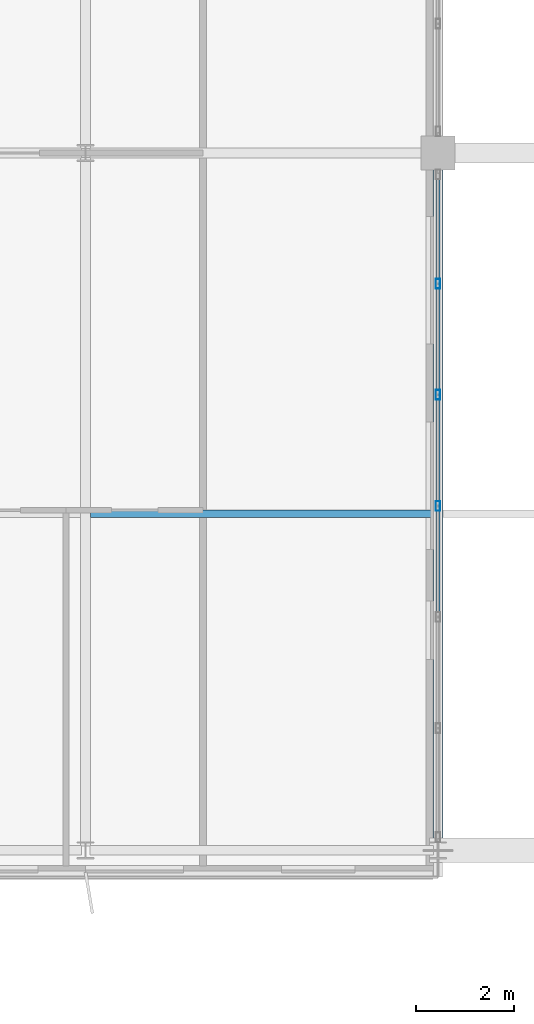
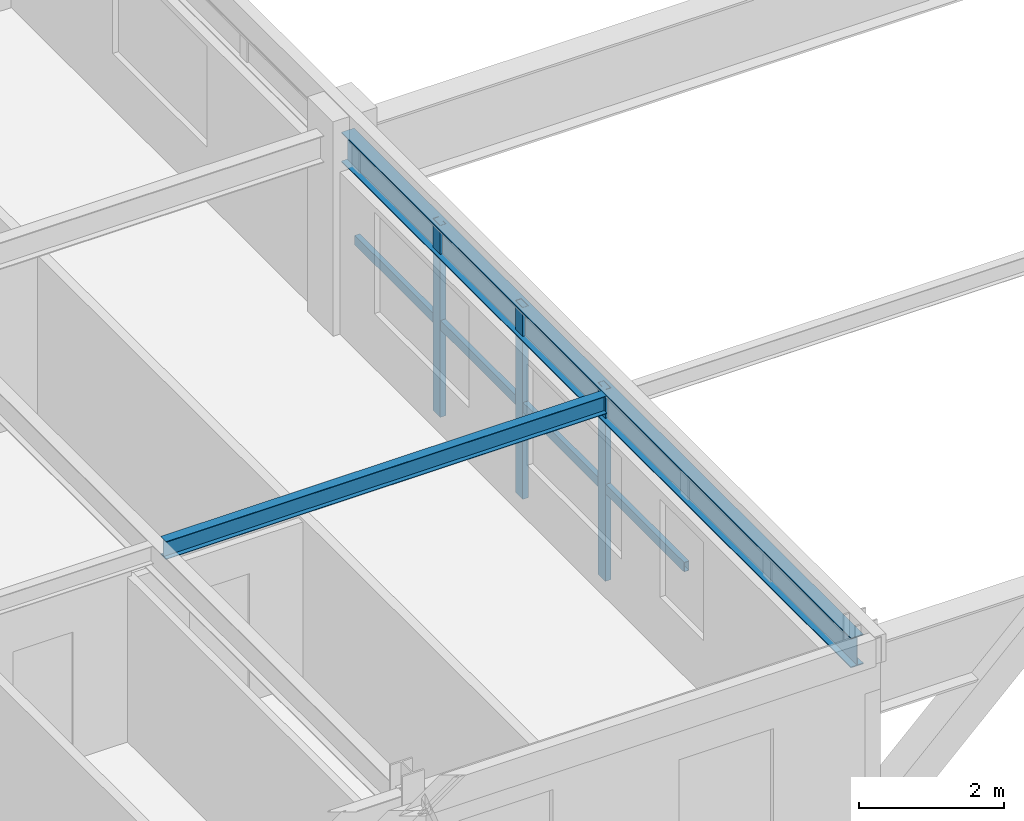
# One storey, part 7 of 37: 7 members, 2 beams, 1 element without a shape of its own.
"""IFC4 building model written with IfcOpenShell, lengths in metres."""

from ifc_helpers import new_model, si_unit, direction, frame, origin, origin_2d, place, context, subcontext, project, spatial, hollow_rectangle, i_section, extrude, source, transform, mapped, material, material_profile, profile_set, type_object, element, aggregate, save


model = new_model("IFC4")

# Units and contexts
model_context = context("Model", 3, precision=1e-05, world=origin(), true_north=direction((0.0, 1.0)))
body_context = subcontext(model_context, "Body", "Model", "MODEL_VIEW")
ifc_project = project(units=[si_unit("LENGTHUNIT", "METRE"), si_unit("AREAUNIT", "SQUARE_METRE"), si_unit("VOLUMEUNIT", "CUBIC_METRE"), si_unit("PLANEANGLEUNIT", "RADIAN"), si_unit("MASSUNIT", "GRAM", prefix="KILO")], contexts=[model_context])

# Site, building, storey
site_placement = place(None, origin())
site = spatial("IfcSite", under=ifc_project, at=site_placement, CompositionType="ELEMENT")
building_placement = place(site_placement, origin())
building = spatial("IfcBuilding", under=site, at=building_placement, Name="Trelvane Seafront Commons", CompositionType="ELEMENT")
storey_placement = place(building_placement, frame((0.0, 0.0, 201.300048828125)))
storey = spatial("IfcBuildingStorey", under=building, at=storey_placement, Name="L52", CompositionType="ELEMENT", Elevation=201.300048828125)

# Beams
ifc_material_1 = material(Name="Steel SM355 (S355)", Category="steel")
ifc_material_profile_1 = material_profile(ifc_material_1, i_section(OverallWidth=0.199951171875, OverallDepth=0.5, WebThickness=0.010009765625, FlangeThickness=0.01611328125, at=origin_2d()), Name="H-500x200x10x16")
ifc_profile_set_1 = profile_set([ifc_material_profile_1], Name="Steel SM355 (S355)")
beam_type_1 = type_object("IfcBeamType", Name="STR-BM-H500", PredefinedType="BEAM", material=ifc_profile_set_1)
shared_shape_1 = source(origin(), body_context, "Body", "SweptSolid", [
    extrude(i_section(OverallWidth=0.199951171875, OverallDepth=0.5, WebThickness=0.010009765625, FlangeThickness=0.01611328125, at=origin_2d()), origin(), (0.0, 0.0, 1.0), 14.012451171875),
])
beam_1_placement = place(storey_placement, frame((30.60009765625, 4.03759765625, 2.969970703125), z_axis=(0.0, 1.0, 0.0), x_axis=(-1.0, 0.0, 0.0)))
element("IfcBeam", 1, at=beam_1_placement, inside=storey, type_object=beam_type_1, Name="L52 Primary Girder G-38", PredefinedType="BEAM", context=body_context, shape_type="MappedRepresentation", body=[
    mapped(shared_shape_1, transform((0.0, 0.0, 0.0), x_axis=(1.0, 0.0, 0.0), y_axis=(0.0, 1.0, 0.0), z_axis=(0.0, 0.0, 1.0), scale=1.0)),
])
ifc_material_profile_2 = material_profile(ifc_material_1, i_section(OverallWidth=0.14990234375, OverallDepth=0.300048828125, WebThickness=0.006591796875, FlangeThickness=0.009033203125, at=origin_2d()), Name="H-300x150x6.5x9")
ifc_profile_set_2 = profile_set([ifc_material_profile_2], Name="Steel SM355 (S355)")
beam_type_2 = type_object("IfcBeamType", Name="STR-JST-H300", PredefinedType="JOIST", material=ifc_profile_set_2)
shared_shape_2 = source(origin(), body_context, "Body", "SweptSolid", [
    extrude(i_section(OverallWidth=0.14990234375, OverallDepth=0.300048828125, WebThickness=0.006591796875, FlangeThickness=0.009033203125, at=origin_2d()), origin(), (0.0, 0.0, 1.0), 7.0),
])
beam_2_placement = place(storey_placement, frame((23.5, 10.824951171875, 3.070068359375), z_axis=(1.0, 0.0, 0.0), x_axis=(0.0, 1.0, 0.0)))
element("IfcBeam", 2, at=beam_2_placement, inside=storey, type_object=beam_type_2, Name="L52 Secondary Floor Joist B-55", PredefinedType="JOIST", context=body_context, shape_type="MappedRepresentation", body=[
    mapped(shared_shape_2, transform((0.0, 0.0, 0.0), x_axis=(1.0, 0.0, 0.0), y_axis=(0.0, 1.0, 0.0), z_axis=(0.0, 0.0, 1.0), scale=1.0)),
])

# Curtain wall, members
ifc_material_2 = material(Name="Anodised pale-silver aluminium", Category="aluminium")
curtain_wall_type = type_object("IfcCurtainWallType", Name="ARCH-CW3-PORTAL", PredefinedType="NOTDEFINED", material=ifc_material_2)
curtain_wall_placement = place(storey_placement, origin())
curtain_wall = element("IfcCurtainWall", 3, at=curtain_wall_placement, inside=storey, type_object=curtain_wall_type, Name="CW-L52-VP-0091", PredefinedType="NOTDEFINED")
ifc_material_profile_3 = material_profile(ifc_material_2, hollow_rectangle(XDim=0.090087890625, YDim=0.199951171875, WallThickness=0.0048828125, at=origin_2d()), Name="MULL-90x200x5")
ifc_profile_set_3 = profile_set([ifc_material_profile_3], Name="Anodised pale-silver aluminium")
member_type_1 = type_object("IfcMemberType", Name="ARCH-CW-MULL-200", PredefinedType="MULLION", material=ifc_profile_set_3)
shared_shape_3 = source(origin(), body_context, "Body", "SweptSolid", [
    extrude(hollow_rectangle(XDim=0.090087890625, YDim=0.199951171875, WallThickness=0.0048828125, at=origin_2d()), origin(), (0.0, 0.0, 1.0), 3.219970703125),
])
member_1_placement = place(storey_placement, frame((30.60009765625, 10.987548828125, 0.0), z_axis=(0.0, 0.0, 1.0), x_axis=(1.0, 0.0, 0.0)))
member_1 = element("IfcMember", 4, at=member_1_placement, type_object=member_type_1, Name="CW-L52-VP-0091-M03", PredefinedType="MULLION", context=body_context, shape_type="MappedRepresentation", body=[
    mapped(shared_shape_3, transform((0.0, 0.0, 0.0), x_axis=(1.0, 0.0, 0.0), y_axis=(0.0, 1.0, 0.0), z_axis=(0.0, 0.0, 1.0), scale=1.0)),
])
member_2_placement = place(storey_placement, frame((30.60009765625, 13.25830078125, 0.0), z_axis=(0.0, 0.0, 1.0), x_axis=(1.0, 0.0, 0.0)))
member_2 = element("IfcMember", 5, at=member_2_placement, type_object=member_type_1, Name="CW-L52-VP-0091-M04", PredefinedType="MULLION", context=body_context, shape_type="MappedRepresentation", body=[
    mapped(shared_shape_3, transform((0.0, 0.0, 0.0), x_axis=(1.0, 0.0, 0.0), y_axis=(0.0, 1.0, 0.0), z_axis=(0.0, 0.0, 1.0), scale=1.0)),
])
member_3_placement = place(storey_placement, frame((30.60009765625, 15.529296875, 0.0), z_axis=(0.0, 0.0, 1.0), x_axis=(1.0, 0.0, 0.0)))
member_3 = element("IfcMember", 6, at=member_3_placement, type_object=member_type_1, Name="CW-L52-VP-0091-M05", PredefinedType="MULLION", context=body_context, shape_type="MappedRepresentation", body=[
    mapped(shared_shape_3, transform((0.0, 0.0, 0.0), x_axis=(1.0, 0.0, 0.0), y_axis=(0.0, 1.0, 0.0), z_axis=(0.0, 0.0, 1.0), scale=1.0)),
])
ifc_material_profile_4 = material_profile(ifc_material_2, hollow_rectangle(XDim=0.080078125, YDim=0.159912109375, WallThickness=0.00439453125, at=origin_2d()), Name="TRAN-80x160x4.5")
ifc_profile_set_4 = profile_set([ifc_material_profile_4], Name="Anodised pale-silver aluminium")
member_type_2 = type_object("IfcMemberType", Name="ARCH-CW-TRAN-160", PredefinedType="USERDEFINED", material=ifc_profile_set_4)
shared_shape_4 = source(origin(), body_context, "Body", "SweptSolid", [
    extrude(hollow_rectangle(XDim=0.080078125, YDim=0.159912109375, WallThickness=0.00439453125, at=origin_2d()), origin(), (0.0, 0.0, 1.0), 2.246826171875),
])
member_4_placement = place(storey_placement, frame((30.60009765625, 8.728759765625, 1.5458984375), z_axis=(0.0, 1.0, 0.0), x_axis=(-1.0, 0.0, 0.0)))
member_4 = element("IfcMember", 7, at=member_4_placement, type_object=member_type_2, Name="CW-L52-VP-0091-T02", ObjectType="TRANSOM", PredefinedType="USERDEFINED", context=body_context, shape_type="MappedRepresentation", body=[
    mapped(shared_shape_4, transform((0.0, 0.0, 0.0), x_axis=(1.0, 0.0, 0.0), y_axis=(0.0, 1.0, 0.0), z_axis=(0.0, 0.0, 1.0), scale=1.0)),
])
member_5_placement = place(storey_placement, frame((30.60009765625, 10.99951171875, 1.5458984375), z_axis=(0.0, 1.0, 0.0), x_axis=(-1.0, 0.0, 0.0)))
member_5 = element("IfcMember", 8, at=member_5_placement, type_object=member_type_2, Name="CW-L52-VP-0091-T03", ObjectType="TRANSOM", PredefinedType="USERDEFINED", context=body_context, shape_type="MappedRepresentation", body=[
    mapped(shared_shape_4, transform((0.0, 0.0, 0.0), x_axis=(1.0, 0.0, 0.0), y_axis=(0.0, 1.0, 0.0), z_axis=(0.0, 0.0, 1.0), scale=1.0)),
])
member_6_placement = place(storey_placement, frame((30.60009765625, 13.270263671875, 1.5458984375), z_axis=(0.0, 1.0, 0.0), x_axis=(-1.0, 0.0, 0.0)))
member_6 = element("IfcMember", 9, at=member_6_placement, type_object=member_type_2, Name="CW-L52-VP-0091-T04", ObjectType="TRANSOM", PredefinedType="USERDEFINED", context=body_context, shape_type="MappedRepresentation", body=[
    mapped(shared_shape_4, transform((0.0, 0.0, 0.0), x_axis=(1.0, 0.0, 0.0), y_axis=(0.0, 1.0, 0.0), z_axis=(0.0, 0.0, 1.0), scale=1.0)),
])
member_7_placement = place(storey_placement, frame((30.60009765625, 15.541259765625, 1.5458984375), z_axis=(0.0, 1.0, 0.0), x_axis=(-1.0, 0.0, 0.0)))
member_7 = element("IfcMember", 10, at=member_7_placement, type_object=member_type_2, Name="CW-L52-VP-0091-T05", ObjectType="TRANSOM", PredefinedType="USERDEFINED", context=body_context, shape_type="MappedRepresentation", body=[
    mapped(shared_shape_4, transform((0.0, 0.0, 0.0), x_axis=(1.0, 0.0, 0.0), y_axis=(0.0, 1.0, 0.0), z_axis=(0.0, 0.0, 1.0), scale=1.0)),
])
aggregate(curtain_wall, [member_1, member_2, member_3, member_4, member_5, member_6, member_7])

save(model, "model.ifc")
